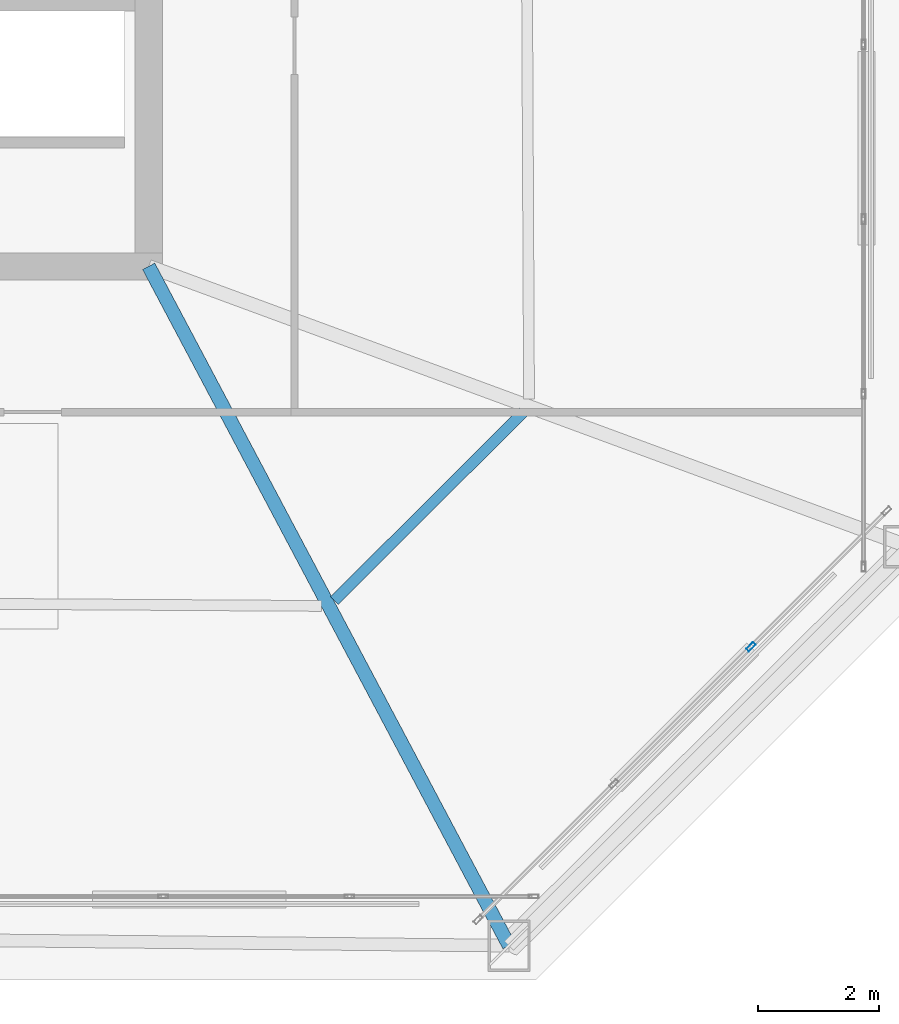
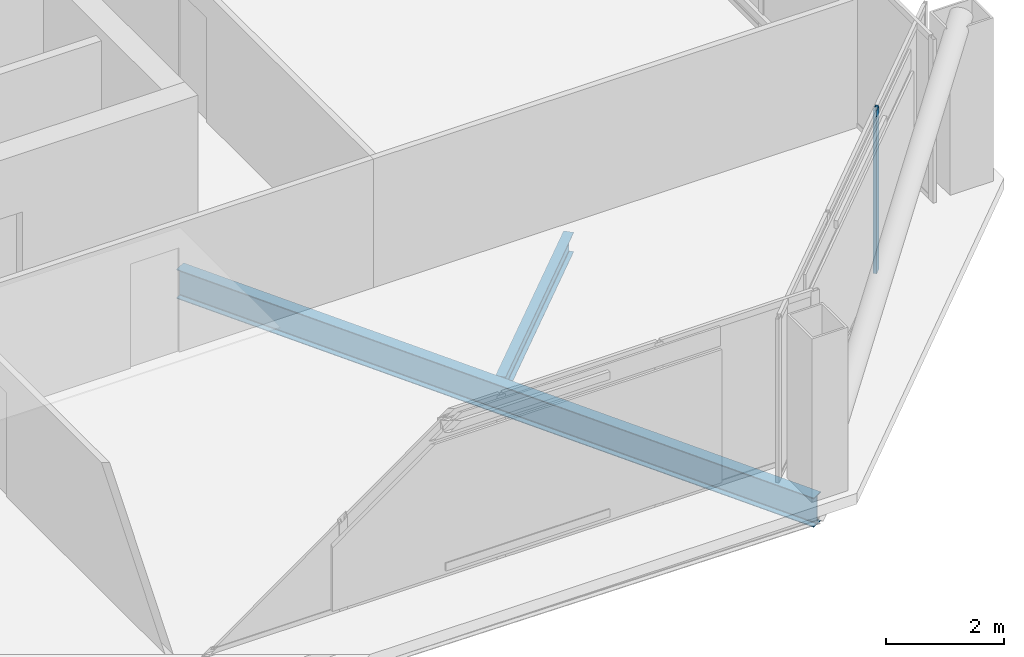
# One storey, part 19 of 39: 2 beams, 1 member, 1 element without a shape of its own.
"""IFC4 building model written with IfcOpenShell, lengths in metres."""

from ifc_helpers import new_model, si_unit, direction, frame, origin, origin_2d, place, context, subcontext, project, spatial, hollow_rectangle, i_section, extrude, material, layer, layer_set, material_profile, profile_set, type_object, element, aggregate, save


model = new_model("IFC4")

# Units and contexts
model_context = context("Model", 3, precision=1e-05, world=origin(), true_north=direction((0.0, 1.0)))
body_context = subcontext(model_context, "Body", "Model", "MODEL_VIEW")
ifc_project = project(units=[si_unit("LENGTHUNIT", "METRE"), si_unit("AREAUNIT", "SQUARE_METRE"), si_unit("VOLUMEUNIT", "CUBIC_METRE"), si_unit("PLANEANGLEUNIT", "RADIAN"), si_unit("MASSUNIT", "GRAM", prefix="KILO")], contexts=[model_context])

# Site, building, storey
site_placement = place(None, origin())
site = spatial("IfcSite", under=ifc_project, at=site_placement, CompositionType="ELEMENT")
building_placement = place(site_placement, origin())
building = spatial("IfcBuilding", under=site, at=building_placement, Name="Caelvoria Tower", CompositionType="ELEMENT")
storey_placement = place(building_placement, frame((0.0, 0.0, 198.60009765625)))
storey = spatial("IfcBuildingStorey", under=building, at=storey_placement, Name="L52", CompositionType="ELEMENT", Elevation=198.60009765625)

# Curtain wall, member
ifc_material_1 = material(Name="Anodised Bronze Aluminium and Low-E Glass", Category="aluminium")
ifc_layer = layer(ifc_material_1, 0.175048828125, Name="Anodised Bronze Aluminium and Low-E Glass")
ifc_layer_set = layer_set([ifc_layer], Name="CW System 4 High-Zone Tapered Crystal Facade - Anodised Bronze Aluminium and Low-E Glass")
curtain_wall_type = type_object("IfcCurtainWallType", Name="CW System 4 High-Zone Tapered Crystal Facade", PredefinedType="NOTDEFINED", material=ifc_layer_set)
curtain_wall_placement = place(storey_placement, origin())
curtain_wall = element("IfcCurtainWall", 1, at=curtain_wall_placement, inside=storey, type_object=curtain_wall_type, Name="CW-04 Curtain Wall L52-E1", PredefinedType="NOTDEFINED")
ifc_material_2 = material(Name="Anodised Bronze Architectural Aluminium", Category="aluminium")
ifc_material_profile_1 = material_profile(ifc_material_2, hollow_rectangle(XDim=0.06494140625, YDim=0.159912109375, WallThickness=0.00390625, at=origin_2d()), Name="Anodised Bronze Architectural Aluminium")
ifc_profile_set_1 = profile_set([ifc_material_profile_1], Name="CW_MULL_65X160 - Anodised Bronze Architectural Aluminium")
member_type = type_object("IfcMemberType", Name="Curtain Wall Mullion 65x160 Bronze Aluminium", PredefinedType="MULLION", material=ifc_profile_set_1)
member_placement = place(storey_placement, frame((64.95751953125, 17.709228515625, 0.0), z_axis=(0.0, 0.0, 1.0), x_axis=(-0.707106781187, 0.707106781187, 0.0)))
member = element("IfcMember", 2, at=member_placement, type_object=member_type, Name="CW-04 mullion 3", PredefinedType="MULLION", context=body_context, shape_type="SweptSolid", body=[
    extrude(hollow_rectangle(XDim=0.06494140625, YDim=0.159912109375, WallThickness=0.00390625, at=origin_2d()), origin(), (0.0, 0.0, 1.0), 3.375),
])
aggregate(curtain_wall, [member])

# Beams
ifc_material_3 = material(Name="Structural Steel ASTM A992 Gr.50", Category="steel")
ifc_material_profile_2 = material_profile(ifc_material_3, i_section(OverallWidth=0.22802734375, OverallDepth=0.60302734375, WebThickness=0.010498046875, FlangeThickness=0.014892578125, FilletRadius=0.01806640625, at=origin_2d()), Name="Structural Steel ASTM A992 Gr.50")
ifc_profile_set_2 = profile_set([ifc_material_profile_2], Name="W610X101 - Structural Steel ASTM A992 Gr.50")
beam_type_1 = type_object("IfcBeamType", Name="Primary Floor Girder W610X101", PredefinedType="BEAM", material=ifc_profile_set_2)
beam_1_placement = place(storey_placement, frame((55.0, 24.0, -0.526611328125), z_axis=(0.468613670085, -0.883403208173, 0.0), x_axis=(0.883403208173, 0.468613670085, 0.0)))
element("IfcBeam", 3, at=beam_1_placement, inside=storey, type_object=beam_type_1, Name="Primary Floor Girder L52-02", PredefinedType="BEAM", context=body_context, shape_type="SweptSolid", body=[
    extrude(i_section(OverallWidth=0.22802734375, OverallDepth=0.60302734375, WebThickness=0.010498046875, FlangeThickness=0.014892578125, FilletRadius=0.01806640625, at=origin_2d()), origin(), (0.0, 0.0, 1.0), 12.714111328125),
])
ifc_material_profile_3 = material_profile(ifc_material_3, i_section(OverallWidth=0.177978515625, OverallDepth=0.406982421875, WebThickness=0.0078125, FlangeThickness=0.0126953125, FilletRadius=0.013916015625, at=origin_2d()), Name="Structural Steel ASTM A992 Gr.50")
ifc_profile_set_3 = profile_set([ifc_material_profile_3], Name="W410X60 - Structural Steel ASTM A992 Gr.50")
beam_type_2 = type_object("IfcBeamType", Name="Secondary Floor Beam W410X60", PredefinedType="BEAM", material=ifc_profile_set_3)
beam_2_placement = place(storey_placement, frame((58.067626953125, 18.472412109375, -0.4287109375), z_axis=(0.708430431298, 0.705780648652, 0.0), x_axis=(-0.705780648652, 0.708430431298, 0.0)))
element("IfcBeam", 4, at=beam_2_placement, inside=storey, type_object=beam_type_2, Name="Secondary Floor Beam L52-02", PredefinedType="BEAM", context=body_context, shape_type="SweptSolid", body=[
    extrude(i_section(OverallWidth=0.177978515625, OverallDepth=0.406982421875, WebThickness=0.0078125, FlangeThickness=0.0126953125, FilletRadius=0.013916015625, at=origin_2d()), origin(), (0.0, 0.0, 1.0), 4.422607421875),
])

save(model, "model.ifc")
